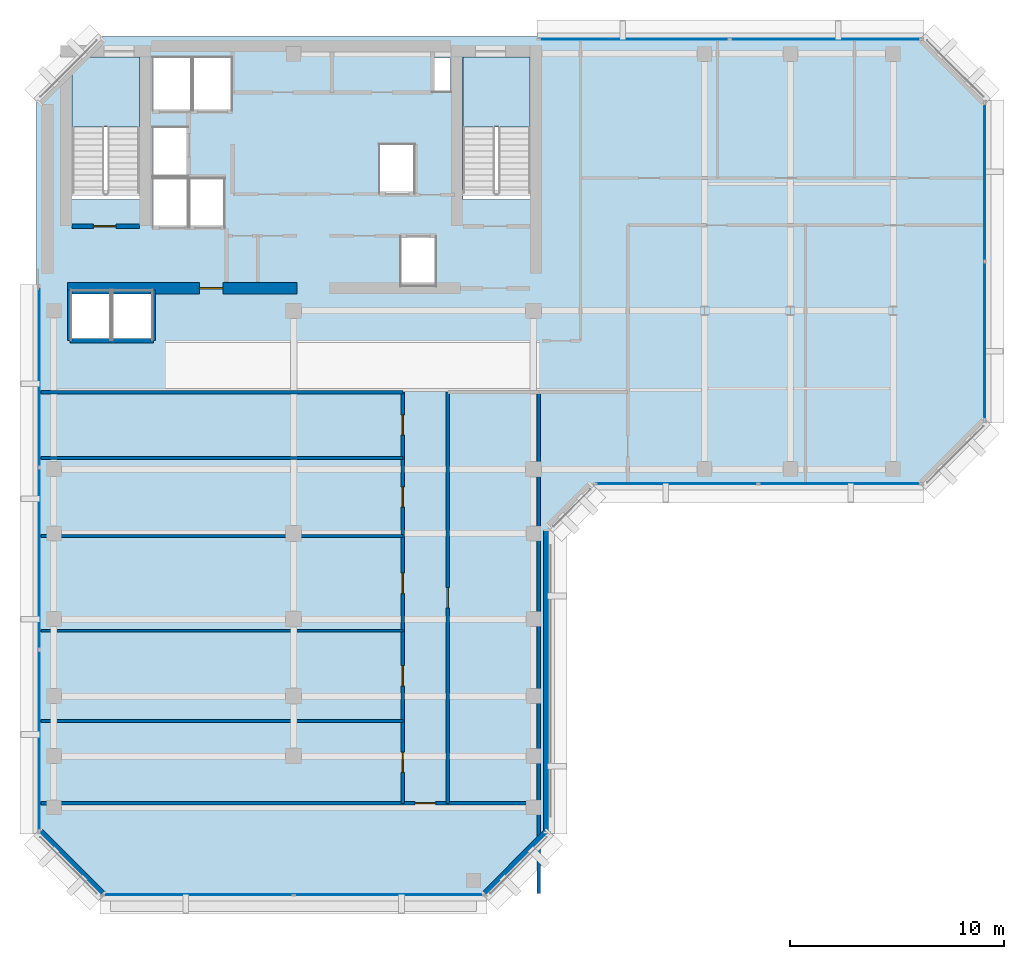
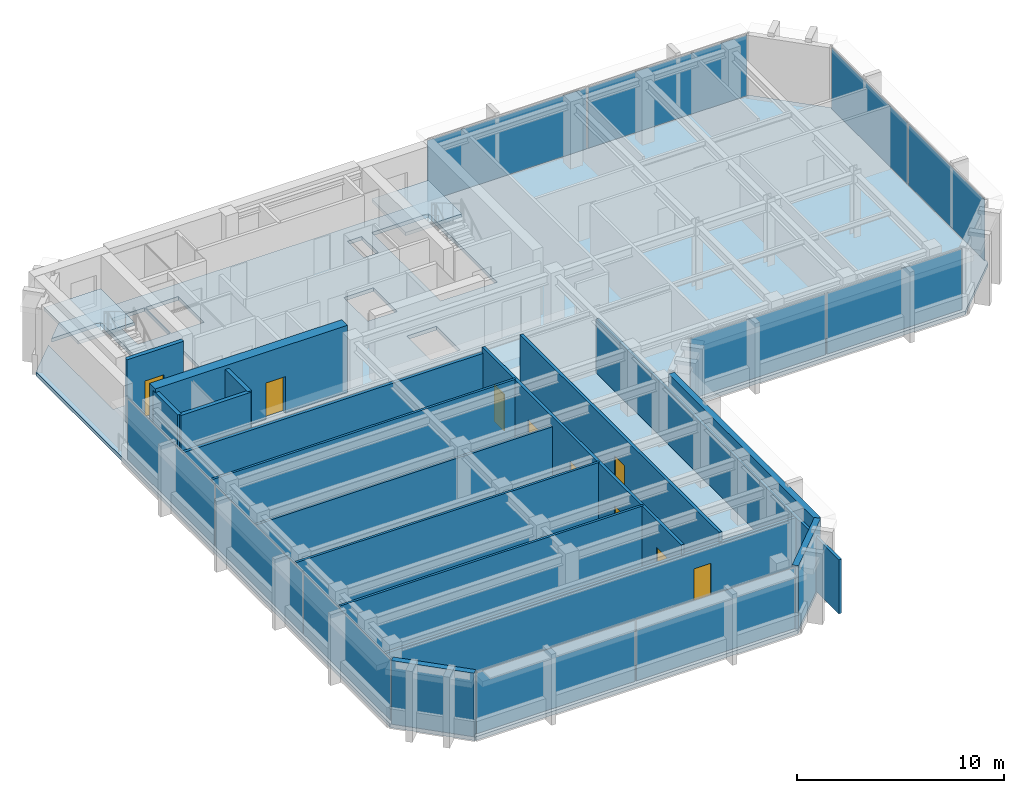
# One storey, part 6 of 11: 17 walls, 11 plates, 9 doors, 3 slabs, 9 openings, 7 elements without a shape of their own.
"""IFC4 building model written with IfcOpenShell, lengths in metres."""

from ifc_helpers import new_model, si_unit, direction, frame, frame_2d, origin, origin_2d, place, context, subcontext, project, spatial, polyline, rectangle, outline, extrude, material, layer, layer_set, type_object, element, fill, aggregate, save


model = new_model("IFC4")

# Units and contexts
model_context = context("Model", 3, precision=1e-05, world=origin(), true_north=direction((0.0, 1.0)))
body_context = subcontext(model_context, "Body", "Model", "MODEL_VIEW")
ifc_project = project(units=[si_unit("LENGTHUNIT", "METRE"), si_unit("AREAUNIT", "SQUARE_METRE"), si_unit("VOLUMEUNIT", "CUBIC_METRE"), si_unit("PLANEANGLEUNIT", "RADIAN"), si_unit("MASSUNIT", "GRAM", prefix="KILO")], contexts=[model_context])

# Site, building, storey
site_placement = place(None, origin())
site = spatial("IfcSite", under=ifc_project, at=site_placement, CompositionType="ELEMENT")
building_placement = place(site_placement, origin())
building = spatial("IfcBuilding", under=site, at=building_placement, Name="Kefirva Bronze Tower", CompositionType="ELEMENT")
storey_placement = place(building_placement, frame((0.0, 0.0, 315.81005859375)))
storey = spatial("IfcBuildingStorey", under=building, at=storey_placement, Name="L77", CompositionType="ELEMENT", Elevation=315.81005859375)

# Stair, slab
ifc_material_1 = material(Name="Concrete C40/50", Category="concrete")
stair_type = type_object("IfcStairType", Name="RC Dogleg Protected Stair 24R", PredefinedType="HALF_TURN_STAIR", material=ifc_material_1)
stair_1_placement = place(storey_placement, origin())
stair_1 = element("IfcStair", 1, at=stair_1_placement, inside=storey, type_object=stair_type, Name="L77 Protected Exit Stair 1", PredefinedType="HALF_TURN_STAIR")
ifc_layer_1 = layer(ifc_material_1, 0.199951171875, Name="Concrete C40/50")
ifc_layer_set_1 = layer_set([ifc_layer_1], Name="Concrete C40/50")
slab_type_1 = type_object("IfcSlabType", Name="RC Stair Landing Slab 200mm", PredefinedType="LANDING", material=ifc_layer_set_1)
slab_1_placement = place(storey_placement, frame((0.0, 0.0, 1.780029296875)))
slab_1 = element("IfcSlab", 2, at=slab_1_placement, type_object=slab_type_1, Name="ST-1 landing 1", PredefinedType="LANDING", context=body_context, shape_type="SweptSolid", body=[
    extrude(outline(polyline([(4.800048828125, 41.780029296875), (4.800048828125, 45.050048828125), (1.64990234375, 45.050048828125), (1.64990234375, 41.780029296875), (4.800048828125, 41.780029296875)])), origin(), (0.0, 0.0, 1.0), 0.199951171875),
])
aggregate(stair_1, [slab_1])

stair_2_placement = place(storey_placement, origin())
stair_2 = element("IfcStair", 3, at=stair_2_placement, inside=storey, type_object=stair_type, Name="L77 Protected Exit Stair 2", PredefinedType="HALF_TURN_STAIR")
slab_2_placement = place(storey_placement, frame((0.0, 0.0, 1.780029296875)))
slab_2 = element("IfcSlab", 4, at=slab_2_placement, type_object=slab_type_1, Name="ST-2 landing 1", PredefinedType="LANDING", context=body_context, shape_type="SweptSolid", body=[
    extrude(outline(polyline([(23.050048828125, 41.780029296875), (23.050048828125, 45.050048828125), (19.89990234375, 45.050048828125), (19.89990234375, 41.780029296875), (23.050048828125, 41.780029296875)])), origin(), (0.0, 0.0, 1.0), 0.199951171875),
])
aggregate(stair_2, [slab_2])

# Slab
ifc_layer_2 = layer(ifc_material_1, 0.219970703125, Name="Concrete C40/50")
ifc_layer_set_2 = layer_set([ifc_layer_2], Name="Concrete C40/50")
slab_type_2 = type_object("IfcSlabType", Name="RC Upper Floor Slab 220mm", PredefinedType="FLOOR", material=ifc_layer_set_2)
slab_3_placement = place(storey_placement, frame((0.0, 0.0, -0.219970703125)))
element("IfcSlab", 5, at=slab_3_placement, inside=storey, type_object=slab_type_2, Name="L77 Structural Floor Slab", PredefinedType="FLOOR", context=body_context, shape_type="SweptSolid", body=[
    extrude(outline(polyline([(0.0, 8.800048828125), (0.0, 43.0), (1.64990234375, 44.64990234375), (1.64990234375, 38.39990234375), (4.800048828125, 38.39990234375), (4.800048828125, 45.050048828125), (2.050048828125, 45.050048828125), (3.0, 46.0), (41.39990234375, 46.0), (44.39990234375, 43.0), (44.39990234375, 28.0), (41.39990234375, 25.0), (26.0, 25.0), (24.0, 23.0), (24.0, 8.800048828125), (21.0, 5.800048828125), (3.0, 5.800048828125), (0.0, 8.800048828125)]), holes=[polyline([(23.050048828125, 45.050048828125), (19.89990234375, 45.050048828125), (19.89990234375, 38.39990234375), (23.050048828125, 38.39990234375), (23.050048828125, 45.050048828125)]), polyline([(19.320068359375, 43.419921875), (19.320068359375, 45.0), (18.52001953125, 45.0), (18.52001953125, 43.419921875), (19.320068359375, 43.419921875)]), polyline([(18.64990234375, 36.64990234375), (17.0, 36.64990234375), (17.0, 34.35009765625), (18.64990234375, 34.35009765625), (18.64990234375, 36.64990234375)]), polyline([(17.64990234375, 38.679931640625), (17.64990234375, 40.97998046875), (16.0, 40.97998046875), (16.0, 38.679931640625), (17.64990234375, 38.679931640625)]), polyline([(9.1201171875, 42.550048828125), (9.1201171875, 45.050048828125), (7.300048828125, 45.050048828125), (7.300048828125, 42.550048828125), (9.1201171875, 42.550048828125)]), polyline([(8.780029296875, 37.10009765625), (8.780029296875, 39.39990234375), (7.139892578125, 39.39990234375), (7.139892578125, 37.10009765625), (8.780029296875, 37.10009765625)]), polyline([(7.239990234375, 42.550048828125), (7.239990234375, 45.050048828125), (5.419921875, 45.050048828125), (5.419921875, 42.550048828125), (7.239990234375, 42.550048828125)]), polyline([(7.06005859375, 37.10009765625), (7.06005859375, 39.39990234375), (5.419921875, 39.39990234375), (5.419921875, 37.10009765625), (7.06005859375, 37.10009765625)]), polyline([(7.06005859375, 41.780029296875), (5.419921875, 41.780029296875), (5.419921875, 39.47998046875), (7.06005859375, 39.47998046875), (7.06005859375, 41.780029296875)]), polyline([(5.39990234375, 31.85009765625), (5.39990234375, 34.14990234375), (3.550048828125, 34.14990234375), (3.550048828125, 31.85009765625), (5.39990234375, 31.85009765625)]), polyline([(3.449951171875, 34.14990234375), (1.60009765625, 34.14990234375), (1.60009765625, 31.85009765625), (3.449951171875, 31.85009765625), (3.449951171875, 34.14990234375)])]), origin(), (0.0, 0.0, 1.0), 0.219970703125),
])

# Curtain wall, plates
ifc_material_2 = material(Name="Bronze anodised aluminium", Category="aluminium")
ifc_layer_3 = layer(ifc_material_2, 0.179931640625, Name="Bronze anodised aluminium")
ifc_layer_set_3 = layer_set([ifc_layer_3], Name="Bronze anodised aluminium")
curtain_wall_type = type_object("IfcCurtainWallType", Name="Unitised Bronze Ribbon Curtain Wall Zone 4", PredefinedType="USERDEFINED", material=ifc_layer_set_3)
curtain_wall_1_placement = place(storey_placement, origin())
curtain_wall_1 = element("IfcCurtainWall", 6, at=curtain_wall_1_placement, inside=storey, type_object=curtain_wall_type, Name="L77 Curtain Wall 1", ObjectType="UNITISED CURTAIN WALL", PredefinedType="USERDEFINED")
ifc_material_3 = material(Name="Laminated low-E double glazing", Category="glass")
ifc_layer_4 = layer(ifc_material_3, 0.031982421875, Name="Laminated low-E double glazing")
ifc_layer_set_4 = layer_set([ifc_layer_4], Name="Laminated low-E double glazing")
plate_type = type_object("IfcPlateType", Name="Solar-Control Low-E Vision Panel 32mm", PredefinedType="CURTAIN_PANEL", material=ifc_layer_set_4)
plate_1_placement = place(storey_placement, frame((7.546142578125, 5.919921875, 0.07470703125), z_axis=(0.0, 0.0, 1.0), x_axis=(1.0, 0.0, 0.0)))
plate_1 = element("IfcPlate", 7, at=plate_1_placement, type_object=plate_type, Name="CW-04 panel 1.1", PredefinedType="CURTAIN_PANEL", context=body_context, shape_type="SweptSolid", body=[
    extrude(rectangle(XDim=8.83251953125, YDim=0.031982421875, at=origin_2d()), origin(), (0.0, 0.0, 1.0), 3.590087890625),
])
plate_2_placement = place(storey_placement, frame((16.453857421875, 5.919921875, 0.07470703125), z_axis=(0.0, 0.0, 1.0), x_axis=(1.0, 0.0, 0.0)))
plate_2 = element("IfcPlate", 8, at=plate_2_placement, type_object=plate_type, Name="CW-04 panel 2.1", PredefinedType="CURTAIN_PANEL", context=body_context, shape_type="SweptSolid", body=[
    extrude(rectangle(XDim=8.83251953125, YDim=0.031982421875, at=origin_2d()), origin(), (0.0, 0.0, 1.0), 3.590087890625),
])
aggregate(curtain_wall_1, [plate_1, plate_2])

curtain_wall_2_placement = place(storey_placement, origin())
curtain_wall_2 = element("IfcCurtainWall", 9, at=curtain_wall_2_placement, inside=storey, type_object=curtain_wall_type, Name="L77 Curtain Wall 2", ObjectType="UNITISED CURTAIN WALL", PredefinedType="USERDEFINED")
plate_3_placement = place(storey_placement, frame((29.896240234375, 25.1201171875, 0.07470703125), z_axis=(0.0, 0.0, 1.0), x_axis=(1.0, 0.0, 0.0)))
plate_3 = element("IfcPlate", 10, at=plate_3_placement, type_object=plate_type, Name="CW-04 panel 1.1", PredefinedType="CURTAIN_PANEL", context=body_context, shape_type="SweptSolid", body=[
    extrude(rectangle(XDim=7.532470703125, YDim=0.031982421875, at=origin_2d()), origin(), (0.0, 0.0, 1.0), 3.590087890625),
])
plate_4_placement = place(storey_placement, frame((37.503662109375, 25.1201171875, 0.07470703125), z_axis=(0.0, 0.0, 1.0), x_axis=(1.0, 0.0, 0.0)))
plate_4 = element("IfcPlate", 11, at=plate_4_placement, type_object=plate_type, Name="CW-04 panel 2.1", PredefinedType="CURTAIN_PANEL", context=body_context, shape_type="SweptSolid", body=[
    extrude(rectangle(XDim=7.532470703125, YDim=0.031982421875, at=origin_2d()), origin(), (0.0, 0.0, 1.0), 3.590087890625),
])
aggregate(curtain_wall_2, [plate_3, plate_4])

curtain_wall_3_placement = place(storey_placement, origin())
curtain_wall_3 = element("IfcCurtainWall", 12, at=curtain_wall_3_placement, inside=storey, type_object=curtain_wall_type, Name="L77 Curtain Wall 3", ObjectType="UNITISED CURTAIN WALL", PredefinedType="USERDEFINED")
plate_5_placement = place(storey_placement, frame((44.280029296875, 31.796142578125, 0.07470703125), z_axis=(0.0, 0.0, 1.0), x_axis=(0.0, 1.0, 0.0)))
plate_5 = element("IfcPlate", 13, at=plate_5_placement, type_object=plate_type, Name="CW-04 panel 1.1", PredefinedType="CURTAIN_PANEL", context=body_context, shape_type="SweptSolid", body=[
    extrude(rectangle(XDim=7.33251953125, YDim=0.031982421875, at=origin_2d()), origin(), (0.0, 0.0, 1.0), 3.590087890625),
])
plate_6_placement = place(storey_placement, frame((44.280029296875, 39.203857421875, 0.07470703125), z_axis=(0.0, 0.0, 1.0), x_axis=(0.0, 1.0, 0.0)))
plate_6 = element("IfcPlate", 14, at=plate_6_placement, type_object=plate_type, Name="CW-04 panel 2.1", PredefinedType="CURTAIN_PANEL", context=body_context, shape_type="SweptSolid", body=[
    extrude(rectangle(XDim=7.33251953125, YDim=0.031982421875, at=origin_2d()), origin(), (0.0, 0.0, 1.0), 3.590087890625),
])
aggregate(curtain_wall_3, [plate_5, plate_6])

curtain_wall_4_placement = place(storey_placement, origin())
curtain_wall_4 = element("IfcCurtainWall", 15, at=curtain_wall_4_placement, inside=storey, type_object=curtain_wall_type, Name="L77 Curtain Wall 4", ObjectType="UNITISED CURTAIN WALL", PredefinedType="USERDEFINED")
plate_7_placement = place(storey_placement, frame((36.84130859375, 45.8798828125, 0.07470703125), z_axis=(0.0, 0.0, 1.0), x_axis=(-1.0, 0.0, 0.0)))
plate_7 = element("IfcPlate", 16, at=plate_7_placement, type_object=plate_type, Name="CW-04 panel 1.1", PredefinedType="CURTAIN_PANEL", context=body_context, shape_type="SweptSolid", body=[
    extrude(rectangle(XDim=8.857421875, YDim=0.031982421875, at=origin_2d()), origin(), (0.0, 0.0, 1.0), 3.590087890625),
])
plate_8_placement = place(storey_placement, frame((27.90869140625, 45.8798828125, 0.07470703125), z_axis=(0.0, 0.0, 1.0), x_axis=(-1.0, 0.0, 0.0)))
plate_8 = element("IfcPlate", 17, at=plate_8_placement, type_object=plate_type, Name="CW-04 panel 2.1", PredefinedType="CURTAIN_PANEL", context=body_context, shape_type="SweptSolid", body=[
    extrude(rectangle(XDim=8.857421875, YDim=0.031982421875, at=origin_2d()), origin(), (0.0, 0.0, 1.0), 3.590087890625),
])
aggregate(curtain_wall_4, [plate_7, plate_8])

curtain_wall_5_placement = place(storey_placement, origin())
curtain_wall_5 = element("IfcCurtainWall", 18, at=curtain_wall_5_placement, inside=storey, type_object=curtain_wall_type, Name="L77 Curtain Wall 5", ObjectType="UNITISED CURTAIN WALL", PredefinedType="USERDEFINED")
plate_9_placement = place(storey_placement, frame((0.1201171875, 30.11962890625, 0.07470703125), z_axis=(0.0, 0.0, 1.0), x_axis=(0.0, -1.0, 0.0)))
plate_9 = element("IfcPlate", 19, at=plate_9_placement, type_object=plate_type, Name="CW-04 panel 1.1", PredefinedType="CURTAIN_PANEL", context=body_context, shape_type="SweptSolid", body=[
    extrude(rectangle(XDim=8.40087890625, YDim=0.031982421875, at=origin_2d()), origin(), (0.0, 0.0, 1.0), 3.590087890625),
])
plate_10_placement = place(storey_placement, frame((0.1201171875, 21.625, 0.07470703125), z_axis=(0.0, 0.0, 1.0), x_axis=(0.0, -1.0, 0.0)))
plate_10 = element("IfcPlate", 20, at=plate_10_placement, type_object=plate_type, Name="CW-04 panel 2.1", PredefinedType="CURTAIN_PANEL", context=body_context, shape_type="SweptSolid", body=[
    extrude(rectangle(XDim=8.438232421875, YDim=0.031982421875, at=origin_2d()), origin(), (0.0, 0.0, 1.0), 3.590087890625),
])
plate_11_placement = place(storey_placement, frame((0.1201171875, 13.13037109375, 0.07470703125), z_axis=(0.0, 0.0, 1.0), x_axis=(0.0, -1.0, 0.0)))
plate_11 = element("IfcPlate", 21, at=plate_11_placement, type_object=plate_type, Name="CW-04 panel 3.1", PredefinedType="CURTAIN_PANEL", context=body_context, shape_type="SweptSolid", body=[
    extrude(rectangle(XDim=8.40087890625, YDim=0.031982421875, at=origin_2d()), origin(), (0.0, 0.0, 1.0), 3.590087890625),
])
aggregate(curtain_wall_5, [plate_9, plate_10, plate_11])

# Walls
ifc_material_4 = material(Name="Gypsum acoustic partition")
ifc_layer_5 = layer(ifc_material_4, 0.1298828125, Name="Gypsum acoustic partition")
ifc_layer_set_5 = layer_set([ifc_layer_5], Name="Gypsum acoustic partition")
wall_type_1 = type_object("IfcWallType", Name="Acoustic Office Partition 130mm", PredefinedType="PARTITIONING", material=ifc_layer_set_5)
for number, where, z_axis, x_axis, name in (
    (22, (0.18994140625, 14.031982421875, 0.0), (0.0, 0.0, 1.0), (1.0, 0.0, 0.0), "L77 Partition W-L77-SWD1"),
    (23, (0.18994140625, 18.25830078125, 0.0), (0.0, 0.0, 1.0), (1.0, 0.0, 0.0), "L77 Partition W-L77-SWD2"),
):
    element("IfcWall", number, at=place(storey_placement, frame(where, z_axis=z_axis, x_axis=x_axis)), inside=storey, type_object=wall_type_1, Name=name, PredefinedType="PARTITIONING", context=body_context, shape_type="SweptSolid", body=[
        extrude(rectangle(XDim=16.91015625, YDim=0.1298828125, at=frame_2d((8.455078125, 0.0))), origin(), (0.0, 0.0, 1.0), 3.739990234375),
    ])
wall_1_placement = place(storey_placement, frame((0.18994140625, 22.676513671875, 0.0), z_axis=(0.0, 0.0, 1.0), x_axis=(1.0, 0.0, 0.0)))
element("IfcWall", 24, at=wall_1_placement, inside=storey, type_object=wall_type_1, Name="L77 Partition W-L77-SWD3", PredefinedType="PARTITIONING", context=body_context, shape_type="SweptSolid", body=[
    extrude(rectangle(XDim=16.91015625, YDim=0.1298828125, at=frame_2d((8.455078125, 0.0))), origin(), (0.0, 0.0, 1.0), 3.175048828125),
])
wall_2_placement = place(storey_placement, frame((0.18994140625, 26.326416015625, 0.0), z_axis=(0.0, 0.0, 1.0), x_axis=(1.0, 0.0, 0.0)))
element("IfcWall", 25, at=wall_2_placement, inside=storey, type_object=wall_type_1, Name="L77 Partition W-L77-SWD4", PredefinedType="PARTITIONING", context=body_context, shape_type="SweptSolid", body=[
    extrude(rectangle(XDim=16.91015625, YDim=0.1298828125, at=frame_2d((8.455078125, 0.0))), origin(), (0.0, 0.0, 1.0), 3.739990234375),
])

# Wall, opening, door
ifc_material_5 = material(Name="Gypsum fireboard shaftwall")
ifc_layer_6 = layer(ifc_material_5, 0.219970703125, Name="Gypsum fireboard shaftwall")
ifc_layer_set_6 = layer_set([ifc_layer_6], Name="Gypsum fireboard shaftwall")
wall_type_2 = type_object("IfcWallType", Name="Fire-Rated Shaft Enclosure Wall 220mm", PredefinedType="PARTITIONING", material=ifc_layer_set_6)
wall_3_placement = place(storey_placement, frame((1.64990234375, 37.14990234375, 0.0), z_axis=(0.0, 0.0, 1.0), x_axis=(1.0, 0.0, 0.0)))
wall_3 = element("IfcWall", 26, at=wall_3_placement, inside=storey, type_object=wall_type_2, Name="L77 Partition W-L77-ST1S", PredefinedType="PARTITIONING", context=body_context, shape_type="SweptSolid", body=[
    extrude(rectangle(XDim=3.150146484375, YDim=0.219970703125, at=frame_2d((1.5751953125, 0.0))), origin(), (0.0, 0.0, 1.0), 3.739990234375),
])
opening_1_placement = place(wall_3_placement, frame((2.050048828125, 0.0, 0.0), z_axis=(0.0, 0.0, 1.0), x_axis=(-1.0, 0.0, 0.0)))
opening_1 = element("IfcOpeningElement", 27, at=opening_1_placement, cuts=wall_3, Name="Opening L77-D001", PredefinedType="OPENING", context=body_context, shape_type="SweptSolid", body=[
    extrude(rectangle(XDim=1.050048828125, YDim=2.14990234375, at=frame_2d((0.52490234375, 1.074951171875))), frame((0.0, 0.1201171875, 0.0), z_axis=(0.0, -1.0, 0.0), x_axis=(1.0, 0.0, 0.0)), (0.0, 0.0, 1.0), 0.239990234375),
])
ifc_material_6 = material(Name="Painted galvanized steel", Category="steel")
door_type_1 = type_object("IfcDoorType", Name="Fire Stair Enclosure Door 1050x2150 FD90S", OperationType="NOTDEFINED", PredefinedType="DOOR", material=ifc_material_6)
door_1_placement = place(opening_1_placement, origin())
door_1 = element("IfcDoor", 28, at=door_1_placement, inside=storey, type_object=door_type_1, Name="Door L77-D001", OperationType="SINGLE_SWING_LEFT", OverallHeight=2.14990234375, OverallWidth=1.050048828125, PredefinedType="DOOR", context=body_context, shape_type="SweptSolid", body=[
    extrude(rectangle(XDim=1.050048828125, YDim=2.14990234375, at=frame_2d((0.52490234375, 1.074951171875))), frame((0.0, 0.02490234375, 0.0), z_axis=(0.0, -1.0, 0.0), x_axis=(1.0, 0.0, 0.0)), (0.0, 0.0, 1.0), 0.050048828125),
])
fill(opening_1, door_1)

# Walls
wall_4_placement = place(storey_placement, frame((1.550048828125, 31.800048828125, 0.0), z_axis=(0.0, 0.0, 1.0), x_axis=(1.0, 0.0, 0.0)))
element("IfcWall", 29, at=wall_4_placement, inside=storey, type_object=wall_type_2, Name="L77 Partition W-L77-OBS", PredefinedType="PARTITIONING", context=body_context, shape_type="SweptSolid", body=[
    extrude(rectangle(XDim=3.89990234375, YDim=0.219970703125, at=frame_2d((1.949951171875, 0.0))), origin(), (0.0, 0.0, 1.0), 3.739990234375),
])
for number, where, z_axis, x_axis, name in (
    (30, (1.550048828125, 31.800048828125, 0.0), (0.0, 0.0, 1.0), (0.0, 1.0, 0.0), "L77 Partition W-L77-OBW"),
    (31, (5.449951171875, 31.800048828125, 0.0), (0.0, 0.0, 1.0), (0.0, 1.0, 0.0), "L77 Partition W-L77-OBE"),
):
    element("IfcWall", number, at=place(storey_placement, frame(where, z_axis=z_axis, x_axis=x_axis)), inside=storey, type_object=wall_type_2, Name=name, PredefinedType="PARTITIONING", context=body_context, shape_type="SweptSolid", body=[
        extrude(rectangle(XDim=2.3798828125, YDim=0.219970703125, at=frame_2d((1.18994140625, 0.0))), origin(), (0.0, 0.0, 1.0), 3.739990234375),
    ])
ifc_material_7 = material(Name="Precast concrete C40/50", Category="concrete")
ifc_layer_7 = layer(ifc_material_7, 0.320068359375, Name="Precast concrete C40/50")
ifc_layer_set_7 = layer_set([ifc_layer_7], Name="Precast concrete C40/50")
wall_type_3 = type_object("IfcWallType", Name="Precast Insulated Exterior Wall 320mm", PredefinedType="SOLIDWALL", material=ifc_layer_set_7)
wall_5_placement = place(storey_placement, frame((20.92578125, 5.951904296875, 0.0), z_axis=(0.0, 0.0, 1.0), x_axis=(0.707077242712, 0.707136318428, 0.0)))
element("IfcWall", 32, at=wall_5_placement, inside=storey, type_object=wall_type_3, Name="L77 Exterior Facade Wall 1", PredefinedType="SOLIDWALL", context=body_context, shape_type="SweptSolid", body=[
    extrude(rectangle(XDim=4.132568359375, YDim=0.320068359375, at=frame_2d((2.06640625, 0.0))), origin(), (0.0, 0.0, 1.0), 3.739990234375),
])
wall_6_placement = place(storey_placement, frame((23.840087890625, 8.85498046875, 0.0), z_axis=(0.0, 0.0, 1.0), x_axis=(0.0, 1.0, 0.0)))
element("IfcWall", 33, at=wall_6_placement, inside=storey, type_object=wall_type_3, Name="L77 Exterior Facade Wall 2", PredefinedType="SOLIDWALL", context=body_context, shape_type="SweptSolid", body=[
    extrude(rectangle(XDim=14.090087890625, YDim=0.320068359375, at=frame_2d((7.044921875, 0.0))), origin(), (0.0, 0.0, 1.0), 3.739990234375),
])
wall_7_placement = place(storey_placement, frame((0.152099609375, 8.874267578125, 0.0), z_axis=(0.0, 0.0, 1.0), x_axis=(0.707077242712, -0.707136318428, 0.0)))
element("IfcWall", 34, at=wall_7_placement, inside=storey, type_object=wall_type_3, Name="L77 Exterior Facade Wall 7", PredefinedType="SOLIDWALL", context=body_context, shape_type="SweptSolid", body=[
    extrude(rectangle(XDim=4.132568359375, YDim=0.320068359375, at=frame_2d((2.06640625, 0.0))), origin(), (0.0, 0.0, 1.0), 3.739990234375),
])

# Wall, openings, doors
ifc_layer_8 = layer(ifc_material_4, 0.159912109375, Name="Gypsum acoustic partition")
ifc_layer_set_8 = layer_set([ifc_layer_8], Name="Gypsum acoustic partition")
wall_type_4 = type_object("IfcWallType", Name="Protected Corridor Partition 160mm", PredefinedType="PARTITIONING", material=ifc_layer_set_8)
wall_8_placement = place(storey_placement, frame((17.10009765625, 10.18994140625, 0.0), z_axis=(0.0, 0.0, 1.0), x_axis=(0.0, 1.0, 0.0)))
wall_8 = element("IfcWall", 35, at=wall_8_placement, inside=storey, type_object=wall_type_4, Name="L77 Partition W-L77-SWCORW", PredefinedType="PARTITIONING", context=body_context, shape_type="SweptSolid", body=[
    extrude(rectangle(XDim=19.2099609375, YDim=0.159912109375, at=frame_2d((9.60498046875, 0.0))), origin(), (0.0, 0.0, 1.0), 3.739990234375),
])
opening_2_placement = place(wall_8_placement, frame((2.39599609375, 0.0, 0.0), z_axis=(0.0, 0.0, 1.0), x_axis=(-1.0, 0.0, 0.0)))
opening_2 = element("IfcOpeningElement", 36, at=opening_2_placement, cuts=wall_8, Name="Opening L77-D-SW1", PredefinedType="OPENING", context=body_context, shape_type="SweptSolid", body=[
    extrude(rectangle(XDim=0.949951171875, YDim=2.14990234375, at=frame_2d((0.47509765625, 1.074951171875))), frame((0.0, 0.08984375, 0.0), z_axis=(0.0, -1.0, 0.0), x_axis=(1.0, 0.0, 0.0)), (0.0, 0.0, 1.0), 0.179931640625),
])
opening_3_placement = place(wall_8_placement, frame((6.429931640625, 0.0, 0.0), z_axis=(0.0, 0.0, 1.0), x_axis=(-1.0, 0.0, 0.0)))
opening_3 = element("IfcOpeningElement", 37, at=opening_3_placement, cuts=wall_8, Name="Opening L77-D-SW2", PredefinedType="OPENING", context=body_context, shape_type="SweptSolid", body=[
    extrude(rectangle(XDim=0.949951171875, YDim=2.14990234375, at=frame_2d((0.47509765625, 1.074951171875))), frame((0.0, 0.08984375, 0.0), z_axis=(0.0, -1.0, 0.0), x_axis=(1.0, 0.0, 0.0)), (0.0, 0.0, 1.0), 0.179931640625),
])
opening_4_placement = place(wall_8_placement, frame((10.75244140625, 0.0, 0.0), z_axis=(0.0, 0.0, 1.0), x_axis=(-1.0, 0.0, 0.0)))
opening_4 = element("IfcOpeningElement", 38, at=opening_4_placement, cuts=wall_8, Name="Opening L77-D-SW3", PredefinedType="OPENING", context=body_context, shape_type="SweptSolid", body=[
    extrude(rectangle(XDim=0.949951171875, YDim=2.14990234375, at=frame_2d((0.47509765625, 1.074951171875))), frame((0.0, 0.08984375, 0.0), z_axis=(0.0, -1.0, 0.0), x_axis=(1.0, 0.0, 0.0)), (0.0, 0.0, 1.0), 0.179931640625),
])
opening_5_placement = place(wall_8_placement, frame((14.786376953125, 0.0, 0.0), z_axis=(0.0, 0.0, 1.0), x_axis=(-1.0, 0.0, 0.0)))
opening_5 = element("IfcOpeningElement", 39, at=opening_5_placement, cuts=wall_8, Name="Opening L77-D-SW4", PredefinedType="OPENING", context=body_context, shape_type="SweptSolid", body=[
    extrude(rectangle(XDim=0.949951171875, YDim=2.14990234375, at=frame_2d((0.47509765625, 1.074951171875))), frame((0.0, 0.08984375, 0.0), z_axis=(0.0, -1.0, 0.0), x_axis=(1.0, 0.0, 0.0)), (0.0, 0.0, 1.0), 0.179931640625),
])
opening_6_placement = place(wall_8_placement, frame((18.148193359375, 0.0, 0.0), z_axis=(0.0, 0.0, 1.0), x_axis=(-1.0, 0.0, 0.0)))
opening_6 = element("IfcOpeningElement", 40, at=opening_6_placement, cuts=wall_8, Name="Opening L77-D-SW5", PredefinedType="OPENING", context=body_context, shape_type="SweptSolid", body=[
    extrude(rectangle(XDim=0.949951171875, YDim=2.14990234375, at=frame_2d((0.47509765625, 1.074951171875))), frame((0.0, 0.08984375, 0.0), z_axis=(0.0, -1.0, 0.0), x_axis=(1.0, 0.0, 0.0)), (0.0, 0.0, 1.0), 0.179931640625),
])
ifc_material_8 = material(Name="Acoustic hardwood oak", Category="wood")
door_type_2 = type_object("IfcDoorType", Name="Office & Meeting Room Door 950x2150", OperationType="NOTDEFINED", PredefinedType="DOOR", material=ifc_material_8)
door_2_placement = place(opening_2_placement, origin())
door_2 = element("IfcDoor", 41, at=door_2_placement, inside=storey, type_object=door_type_2, Name="Door L77-D-SW1", OperationType="SINGLE_SWING_RIGHT", OverallHeight=2.14990234375, OverallWidth=0.949951171875, PredefinedType="DOOR", context=body_context, shape_type="SweptSolid", body=[
    extrude(rectangle(XDim=0.949951171875, YDim=2.14990234375, at=frame_2d((0.47509765625, 1.074951171875))), frame((0.0, 0.02490234375, 0.0), z_axis=(0.0, -1.0, 0.0), x_axis=(1.0, 0.0, 0.0)), (0.0, 0.0, 1.0), 0.050048828125),
])
fill(opening_2, door_2)
door_3_placement = place(opening_3_placement, origin())
door_3 = element("IfcDoor", 42, at=door_3_placement, inside=storey, type_object=door_type_2, Name="Door L77-D-SW2", OperationType="SINGLE_SWING_LEFT", OverallHeight=2.14990234375, OverallWidth=0.949951171875, PredefinedType="DOOR", context=body_context, shape_type="SweptSolid", body=[
    extrude(rectangle(XDim=0.949951171875, YDim=2.14990234375, at=frame_2d((0.47509765625, 1.074951171875))), frame((0.0, 0.02490234375, 0.0), z_axis=(0.0, -1.0, 0.0), x_axis=(1.0, 0.0, 0.0)), (0.0, 0.0, 1.0), 0.050048828125),
])
fill(opening_3, door_3)
door_4_placement = place(opening_4_placement, origin())
door_4 = element("IfcDoor", 43, at=door_4_placement, inside=storey, type_object=door_type_2, Name="Door L77-D-SW3", OperationType="SINGLE_SWING_RIGHT", OverallHeight=2.14990234375, OverallWidth=0.949951171875, PredefinedType="DOOR", context=body_context, shape_type="SweptSolid", body=[
    extrude(rectangle(XDim=0.949951171875, YDim=2.14990234375, at=frame_2d((0.47509765625, 1.074951171875))), frame((0.0, 0.02490234375, 0.0), z_axis=(0.0, -1.0, 0.0), x_axis=(1.0, 0.0, 0.0)), (0.0, 0.0, 1.0), 0.050048828125),
])
fill(opening_4, door_4)
door_5_placement = place(opening_5_placement, origin())
door_5 = element("IfcDoor", 44, at=door_5_placement, inside=storey, type_object=door_type_2, Name="Door L77-D-SW4", OperationType="SINGLE_SWING_LEFT", OverallHeight=2.14990234375, OverallWidth=0.949951171875, PredefinedType="DOOR", context=body_context, shape_type="SweptSolid", body=[
    extrude(rectangle(XDim=0.949951171875, YDim=2.14990234375, at=frame_2d((0.47509765625, 1.074951171875))), frame((0.0, 0.02490234375, 0.0), z_axis=(0.0, -1.0, 0.0), x_axis=(1.0, 0.0, 0.0)), (0.0, 0.0, 1.0), 0.050048828125),
])
fill(opening_5, door_5)
door_6_placement = place(opening_6_placement, origin())
door_6 = element("IfcDoor", 45, at=door_6_placement, inside=storey, type_object=door_type_2, Name="Door L77-D-SW5", OperationType="SINGLE_SWING_RIGHT", OverallHeight=2.14990234375, OverallWidth=0.949951171875, PredefinedType="DOOR", context=body_context, shape_type="SweptSolid", body=[
    extrude(rectangle(XDim=0.949951171875, YDim=2.14990234375, at=frame_2d((0.47509765625, 1.074951171875))), frame((0.0, 0.02490234375, 0.0), z_axis=(0.0, -1.0, 0.0), x_axis=(1.0, 0.0, 0.0)), (0.0, 0.0, 1.0), 0.050048828125),
])
fill(opening_6, door_6)

# Wall, opening, door
wall_9_placement = place(storey_placement, frame((19.199951171875, 10.18994140625, 0.0), z_axis=(0.0, 0.0, 1.0), x_axis=(0.0, 1.0, 0.0)))
wall_9 = element("IfcWall", 46, at=wall_9_placement, inside=storey, type_object=wall_type_4, Name="L77 Partition W-L77-SECORE", PredefinedType="PARTITIONING", context=body_context, shape_type="SweptSolid", body=[
    extrude(rectangle(XDim=19.2099609375, YDim=0.159912109375, at=frame_2d((9.60498046875, 0.0))), origin(), (0.0, 0.0, 1.0), 3.739990234375),
])
opening_7_placement = place(wall_9_placement, frame((9.1298828125, 0.0, 0.0)))
opening_7 = element("IfcOpeningElement", 47, at=opening_7_placement, cuts=wall_9, Name="Opening L77-D-SE1", PredefinedType="OPENING", context=body_context, shape_type="SweptSolid", body=[
    extrude(rectangle(XDim=0.949951171875, YDim=2.14990234375, at=frame_2d((0.47509765625, 1.074951171875))), frame((0.0, 0.08984375, 0.0), z_axis=(0.0, -1.0, 0.0), x_axis=(1.0, 0.0, 0.0)), (0.0, 0.0, 1.0), 0.179931640625),
])
door_7_placement = place(opening_7_placement, origin())
door_7 = element("IfcDoor", 48, at=door_7_placement, inside=storey, type_object=door_type_2, Name="Door L77-D-SE1", OperationType="SINGLE_SWING_LEFT", OverallHeight=2.14990234375, OverallWidth=0.949951171875, PredefinedType="DOOR", context=body_context, shape_type="SweptSolid", body=[
    extrude(rectangle(XDim=0.949951171875, YDim=2.14990234375, at=frame_2d((0.47509765625, 1.074951171875))), frame((0.0, 0.02490234375, 0.0), z_axis=(0.0, -1.0, 0.0), x_axis=(1.0, 0.0, 0.0)), (0.0, 0.0, 1.0), 0.050048828125),
])
fill(opening_7, door_7)

wall_10_placement = place(storey_placement, frame((0.18994140625, 10.18994140625, 0.0), z_axis=(0.0, 0.0, 1.0), x_axis=(1.0, 0.0, 0.0)))
wall_10 = element("IfcWall", 49, at=wall_10_placement, inside=storey, type_object=wall_type_4, Name="L77 Partition W-L77-SBEND", PredefinedType="PARTITIONING", context=body_context, shape_type="SweptSolid", body=[
    extrude(rectangle(XDim=23.260009765625, YDim=0.159912109375, at=frame_2d((11.6298828125, 0.0))), origin(), (0.0, 0.0, 1.0), 3.175048828125),
])
opening_8_placement = place(wall_10_placement, frame((17.489990234375, 0.0, 0.0)))
opening_8 = element("IfcOpeningElement", 50, at=opening_8_placement, cuts=wall_10, Name="Opening L77-D-SEND1", PredefinedType="OPENING", context=body_context, shape_type="SweptSolid", body=[
    extrude(rectangle(XDim=0.949951171875, YDim=2.14990234375, at=frame_2d((0.47509765625, 1.074951171875))), frame((0.0, 0.08984375, 0.0), z_axis=(0.0, -1.0, 0.0), x_axis=(1.0, 0.0, 0.0)), (0.0, 0.0, 1.0), 0.179931640625),
])
door_8_placement = place(opening_8_placement, origin())
door_8 = element("IfcDoor", 51, at=door_8_placement, inside=storey, type_object=door_type_2, Name="Door L77-D-SEND1", OperationType="SINGLE_SWING_LEFT", OverallHeight=2.14990234375, OverallWidth=0.949951171875, PredefinedType="DOOR", context=body_context, shape_type="SweptSolid", body=[
    extrude(rectangle(XDim=0.949951171875, YDim=2.14990234375, at=frame_2d((0.47509765625, 1.074951171875))), frame((0.0, 0.02490234375, 0.0), z_axis=(0.0, -1.0, 0.0), x_axis=(1.0, 0.0, 0.0)), (0.0, 0.0, 1.0), 0.050048828125),
])
fill(opening_8, door_8)

# Walls
wall_11_placement = place(storey_placement, frame((0.18994140625, 29.39990234375, 0.0), z_axis=(0.0, 0.0, 1.0), x_axis=(1.0, 0.0, 0.0)))
element("IfcWall", 52, at=wall_11_placement, inside=storey, type_object=wall_type_4, Name="L77 Partition W-L77-NWT", PredefinedType="PARTITIONING", context=body_context, shape_type="SweptSolid", body=[
    extrude(rectangle(XDim=16.91015625, YDim=0.159912109375, at=frame_2d((8.455078125, 0.0))), origin(), (0.0, 0.0, 1.0), 3.425048828125),
])
wall_12_placement = place(storey_placement, frame((23.449951171875, 5.989990234375, 0.0), z_axis=(0.0, 0.0, 1.0), x_axis=(0.0, 1.0, 0.0)))
element("IfcWall", 53, at=wall_12_placement, inside=storey, type_object=wall_type_4, Name="L77 Partition W-L77-SWEAST", PredefinedType="PARTITIONING", context=body_context, shape_type="SweptSolid", body=[
    extrude(rectangle(XDim=23.409912109375, YDim=0.159912109375, at=frame_2d((11.705078125, 0.0))), origin(), (0.0, 0.0, 1.0), 3.175048828125),
])

# Wall, opening, door
ifc_material_9 = material(Name="Concrete C50/60", Category="concrete")
ifc_layer_9 = layer(ifc_material_9, 0.550048828125, Name="Concrete C50/60")
ifc_layer_set_9 = layer_set([ifc_layer_9], Name="Concrete C50/60")
wall_type_5 = type_object("IfcWallType", Name="RC Rear Core Interior Wall 550mm", PredefinedType="SHEAR", material=ifc_layer_set_9)
wall_13_placement = place(storey_placement, frame((1.449951171875, 34.25, 0.0), z_axis=(0.0, 0.0, 1.0), x_axis=(1.0, 0.0, 0.0)))
wall_13 = element("IfcWall", 54, at=wall_13_placement, inside=storey, type_object=wall_type_5, Name="L77 Rear Core South-West Shear Wall", PredefinedType="SHEAR", context=body_context, shape_type="SweptSolid", body=[
    extrude(rectangle(XDim=10.7099609375, YDim=0.550048828125, at=frame_2d((5.35498046875, 0.0))), origin(), (0.0, 0.0, 1.0), 3.9599609375),
])
opening_9_placement = place(wall_13_placement, frame((7.25, 0.0, 0.0), z_axis=(0.0, 0.0, 1.0), x_axis=(-1.0, 0.0, 0.0)))
opening_9 = element("IfcOpeningElement", 55, at=opening_9_placement, cuts=wall_13, Name="Opening L77-D002", PredefinedType="OPENING", context=body_context, shape_type="SweptSolid", body=[
    extrude(rectangle(XDim=1.10009765625, YDim=2.14990234375, at=frame_2d((0.550048828125, 1.074951171875))), frame((0.0, 0.28515625, 0.0), z_axis=(0.0, -1.0, 0.0), x_axis=(1.0, 0.0, 0.0)), (0.0, 0.0, 1.0), 0.570068359375),
])
door_type_3 = type_object("IfcDoorType", Name="Firefighting Lobby Smoke Door 1100x2150 FD60S", OperationType="NOTDEFINED", PredefinedType="DOOR", material=ifc_material_6)
door_9_placement = place(opening_9_placement, origin())
door_9 = element("IfcDoor", 56, at=door_9_placement, inside=storey, type_object=door_type_3, Name="Door L77-D002", OperationType="SINGLE_SWING_RIGHT", OverallHeight=2.14990234375, OverallWidth=1.10009765625, PredefinedType="DOOR", context=body_context, shape_type="SweptSolid", body=[
    extrude(rectangle(XDim=1.10009765625, YDim=2.14990234375, at=frame_2d((0.550048828125, 1.074951171875))), frame((0.0, 0.02490234375, 0.0), z_axis=(0.0, -1.0, 0.0), x_axis=(1.0, 0.0, 0.0)), (0.0, 0.0, 1.0), 0.050048828125),
])
fill(opening_9, door_9)

save(model, "model.ifc")
